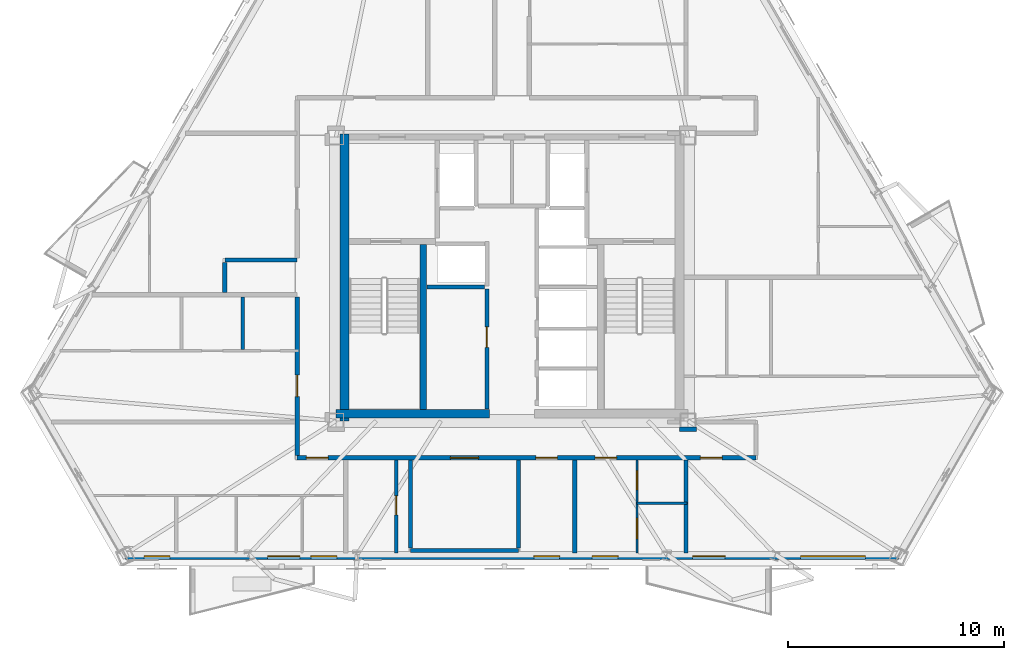
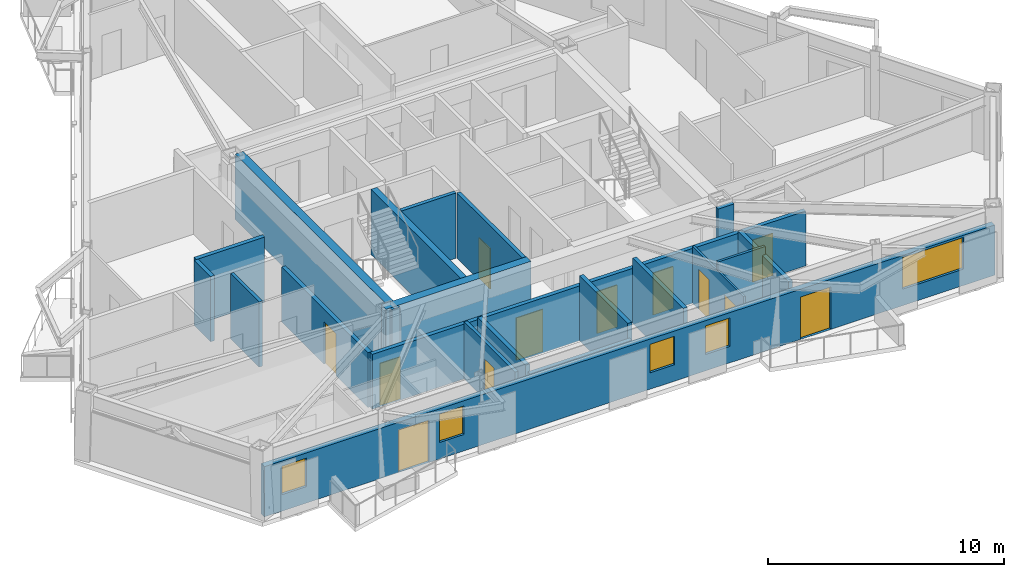
# One storey, part 3 of 9: 20 walls, 12 doors, 5 windows, 17 openings.
"""IFC4 building model written with IfcOpenShell, lengths in metres."""

import ifcopenshell
import ifcopenshell.guid

model = None  # the IFC model being written
_history = None  # IfcOwnerHistory: only IFC2X3 demands one
_inside = {}  # id of a spatial element -> (the spatial element, [elements in it])
_under = {}  # id of a project, library or spatial element -> (it, [spatial elements below it])
_declared = {}  # id of a project -> (the project, [libraries it declares])
_typed = {}  # id of a type object -> (the type object, [elements of that type])
_made_of = {}  # id of a material, layer set ... -> (it, [elements and type objects made of it])


def new_model(schema):
    """Start an empty IFC model of exactly this schema.

    Asked for "IFC4X3", IfcOpenShell would pick the latest addendum, in which some entities
    have other attributes; the version numbers below select the first issue.
    IFC2X3 requires an IfcOwnerHistory on every rooted entity: one is made here for all.
    """
    global model, _history
    if schema == "IFC4X3":
        model = ifcopenshell.file(schema_version=(4, 3, 0, 0))
    else:
        model = ifcopenshell.file(schema=schema)
    _inside.clear()
    _under.clear()
    _declared.clear()
    _typed.clear()
    _made_of.clear()
    _history = None
    if model.schema == "IFC2X3":
        org = make("IfcOrganization", Name="unknown")
        user = make(
            "IfcPersonAndOrganization",
            ThePerson=make("IfcPerson", FamilyName="unknown"),
            TheOrganization=org,
        )
        app = make(
            "IfcApplication",
            ApplicationDeveloper=org,
            Version="unknown",
            ApplicationFullName="unknown",
            ApplicationIdentifier="unknown",
        )
        _history = make(
            "IfcOwnerHistory",
            OwningUser=user,
            OwningApplication=app,
            ChangeAction="ADDED",
            CreationDate=0,
        )
    return model


def make(cls, **values):
    """One entity of the class cls with the attributes given. An attribute that is None is left unset."""
    return model.create_entity(
        cls, **{name: value for name, value in values.items() if value is not None}
    )


def rooted(cls, **values):
    """An entity with a GlobalId (a new one), such as an element, a storey or a relation."""
    return make(cls, GlobalId=ifcopenshell.guid.new(), OwnerHistory=_history, **values)


def si_unit(unit_type, name, prefix=None):
    """IfcSIUnit, for example si_unit("LENGTHUNIT", "METRE", prefix="MILLI")."""
    return make("IfcSIUnit", UnitType=unit_type, Prefix=prefix, Name=name)


def assignment(units):
    """IfcUnitAssignment: the units of a project."""
    return None if units is None else make("IfcUnitAssignment", Units=units)


def point(xyz):
    """IfcCartesianPoint."""
    return None if xyz is None else make("IfcCartesianPoint", Coordinates=xyz)


def direction(xyz):
    """IfcDirection."""
    return None if xyz is None else make("IfcDirection", DirectionRatios=xyz)


def frame(location, z_axis=None, x_axis=None):
    """IfcAxis2Placement3D, a coordinate frame: its origin and axes. An axis left out is left unset."""
    return make(
        "IfcAxis2Placement3D",
        Location=point(location),
        Axis=direction(z_axis),
        RefDirection=direction(x_axis),
    )


def frame_2d(location, x_axis=None):
    """IfcAxis2Placement2D, a coordinate frame in the plane: its origin and x axis."""
    return make(
        "IfcAxis2Placement2D", Location=point(location), RefDirection=direction(x_axis)
    )


def origin():
    """The frame at (0, 0, 0) with its axes left unset."""
    return frame((0.0, 0.0, 0.0))


def place(relative_to, where):
    """IfcLocalPlacement: puts the frame where relative to a parent placement (None: the world)."""
    return make(
        "IfcLocalPlacement", PlacementRelTo=relative_to, RelativePlacement=where
    )


def context(
    kind, dimensions, precision=None, world=None, true_north=None, identifier=None
):
    """IfcGeometricRepresentationContext, for example the 3D "Model" context."""
    return make(
        "IfcGeometricRepresentationContext",
        ContextIdentifier=identifier,
        ContextType=kind,
        CoordinateSpaceDimension=dimensions,
        Precision=precision,
        WorldCoordinateSystem=world,
        TrueNorth=true_north,
    )


def subcontext(parent, identifier, kind, view, scale=None):
    """IfcGeometricRepresentationSubContext, for example "Body" below "Model"."""
    return make(
        "IfcGeometricRepresentationSubContext",
        ContextIdentifier=identifier,
        ContextType=kind,
        ParentContext=parent,
        TargetScale=scale,
        TargetView=view,
    )


def project(units=None, contexts=None):
    """IfcProject with its units and contexts."""
    return rooted(
        "IfcProject",
        Name="project",
        RepresentationContexts=contexts,
        UnitsInContext=assignment(units),
    )


def spatial(cls, under=None, at=None, **own):
    """A site, building, storey or space (cls), placed at a placement, below another one or the project."""
    s = rooted(cls, ObjectPlacement=at, **own)
    if under is not None:
        _under.setdefault(under.id(), (under, []))[1].append(s)
    return s


def profile(cls, at=None, kind="AREA", **sizes):
    """A parametric profile (cls). Its sizes go by their IFC names, for example OverallWidth=200.0."""
    return make(cls, ProfileType=kind, Position=at, **sizes)


def rectangle(**sizes):
    """IfcRectangleProfileDef."""
    return profile("IfcRectangleProfileDef", **sizes)


def extrude(swept, where, along, depth):
    """IfcExtrudedAreaSolid: the profile swept, set in the frame where, extruded along a direction by depth."""
    return make(
        "IfcExtrudedAreaSolid",
        SweptArea=swept,
        Position=where,
        ExtrudedDirection=direction(along),
        Depth=depth,
    )


def shape(context_of_items, identifier, shape_type, items):
    """IfcShapeRepresentation: the items that make up one representation, for example the "Body"."""
    return make(
        "IfcShapeRepresentation",
        ContextOfItems=context_of_items,
        RepresentationIdentifier=identifier,
        RepresentationType=shape_type,
        Items=items,
    )


def material(Name=None, Category=None):
    """IfcMaterial."""
    return make("IfcMaterial", Name=Name, Category=Category)


def layer(
    of_material, thickness, ventilated=None, Name=None, Category=None, Priority=None
):
    """IfcMaterialLayer: one layer of a wall or slab, of a material (None: an air gap)."""
    return make(
        "IfcMaterialLayer",
        Material=of_material,
        LayerThickness=thickness,
        IsVentilated=ventilated,
        Name=Name,
        Category=Category,
        Priority=Priority,
    )


def layer_set(layers, Name=None):
    """IfcMaterialLayerSet."""
    return make("IfcMaterialLayerSet", MaterialLayers=layers, LayerSetName=Name)


def made_of(thing, what):
    """Note that an element or type object is made of a material, layer set ...; save() writes the relation."""
    if what is not None:
        _made_of.setdefault(what.id(), (what, []))[1].append(thing)
    return thing


def type_object(cls, material=None, **own):
    """A type object (cls), such as IfcWallType, which elements share."""
    return made_of(rooted(cls, **own), material)


def element(
    cls,
    number,
    at=None,
    inside=None,
    cuts=None,
    type_object=None,
    material=None,
    context=None,
    identifier="Body",
    shape_type=None,
    held_by="IfcProductDefinitionShape",
    body=None,
    shapes=None,
    **own,
):
    """One element of the class cls, such as IfcWall. Its Tag is "e" and its number.

    at: its placement. inside: the storey or other place that contains it. cuts: it is an
    opening in that element (IfcRelVoidsElement). A single representation is given by context,
    identifier, shape_type and body (its items); several are given by shapes. held_by: the class
    of the entity that holds the representations. save() writes the other relations.
    """
    e = rooted(cls, Tag="e%d" % number, ObjectPlacement=at, **own)
    if body is not None:
        shapes = [shape(context, identifier, shape_type, body)]
    if shapes is not None:
        e.Representation = make(held_by, Representations=shapes)
    if inside is not None:
        _inside.setdefault(inside.id(), (inside, []))[1].append(e)
    if cuts is not None:
        rooted(
            "IfcRelVoidsElement", RelatingBuildingElement=cuts, RelatedOpeningElement=e
        )
    if type_object is not None:
        _typed.setdefault(type_object.id(), (type_object, []))[1].append(e)
    return made_of(e, material)


def fill(opening, filler):
    """IfcRelFillsElement: the door or window that sits in an opening."""
    return rooted(
        "IfcRelFillsElement",
        RelatingOpeningElement=opening,
        RelatedBuildingElement=filler,
    )


def aggregate(whole, parts):
    """IfcRelAggregates: a whole, such as a stair, and the parts it consists of."""
    return rooted("IfcRelAggregates", RelatingObject=whole, RelatedObjects=parts)


def save(model, path):
    """Write the relations noted so far, then the file.

    IfcRelAggregates (storeys below a building ...), IfcRelContainedInSpatialStructure (elements
    in a storey), IfcRelDefinesByType, IfcRelAssociatesMaterial and IfcRelDeclares: one each for
    every whole, place, type object, material and project.
    """
    for whole, parts in _under.values():
        aggregate(whole, parts)
    for where, things in _inside.values():
        rooted(
            "IfcRelContainedInSpatialStructure",
            RelatedElements=things,
            RelatingStructure=where,
        )
    for kind, things in _typed.values():
        rooted("IfcRelDefinesByType", RelatedObjects=things, RelatingType=kind)
    for what, things in _made_of.values():
        rooted("IfcRelAssociatesMaterial", RelatedObjects=things, RelatingMaterial=what)
    for by, libraries in _declared.values():
        rooted("IfcRelDeclares", RelatingContext=by, RelatedDefinitions=libraries)
    model.write(path)


model = new_model("IFC4")

# Units and contexts
model_context = context("Model", 3, precision=1e-05, world=origin(), true_north=direction((0.0, 1.0)))
body_context = subcontext(model_context, "Body", "Model", "MODEL_VIEW")
ifc_project = project(units=[si_unit("LENGTHUNIT", "METRE"), si_unit("AREAUNIT", "SQUARE_METRE"), si_unit("VOLUMEUNIT", "CUBIC_METRE"), si_unit("PLANEANGLEUNIT", "RADIAN"), si_unit("MASSUNIT", "GRAM", prefix="KILO")], contexts=[model_context])

# Site, building, storey
site_placement = place(None, origin())
site = spatial("IfcSite", under=ifc_project, at=site_placement, CompositionType="ELEMENT")
building_placement = place(site_placement, origin())
building = spatial("IfcBuilding", under=site, at=building_placement, Name="Oramaril Tower", CompositionType="ELEMENT")
storey_placement = place(building_placement, frame((0.0, 0.0, 167.39990234375)))
storey = spatial("IfcBuildingStorey", under=building, at=storey_placement, Name="L44", CompositionType="ELEMENT", Elevation=167.39990234375)

# Wall, openings, doors, windows
ifc_material_1 = material(Name="Warm Cream Limestone", Category="masonry")
ifc_layer_1 = layer(ifc_material_1, 0.2900390625)
ifc_layer_set_1 = layer_set([ifc_layer_1], Name="WT-EXT29")
wall_type_1 = type_object("IfcWallType", Name="WT-EXT29", PredefinedType="SOLIDWALL", material=ifc_layer_set_1)
wall_1_placement = place(storey_placement, frame((19.5986328125, 4.736572265625, 0.0), z_axis=(0.0, 0.0, 1.0), x_axis=(1.0, 0.0, 0.0)))
wall_1 = element("IfcWall", 1, at=wall_1_placement, inside=storey, type_object=wall_type_1, Name="L44 Tower Limestone Facade Wall 2M", PredefinedType="SOLIDWALL", context=body_context, shape_type="SweptSolid", body=[
    extrude(rectangle(XDim=35.802734375, YDim=0.2900390625, at=frame_2d((17.9013671875, 0.0))), origin(), (0.0, 0.0, 1.0), 2.60009765625),
])
opening_1_placement = place(wall_1_placement, frame((6.579345703125, 0.0, 0.0)))
opening_1 = element("IfcOpeningElement", 2, at=opening_1_placement, cuts=wall_1, Name="Opening D-L44-BAL-S1", PredefinedType="OPENING", context=body_context, shape_type="SweptSolid", body=[
    extrude(rectangle(XDim=1.5, YDim=2.199951171875, at=frame_2d((0.75, 1.10009765625))), frame((0.0, 0.14501953125, 0.0), z_axis=(0.0, -1.0, 0.0), x_axis=(1.0, 0.0, 0.0)), (0.0, 0.0, 1.0), 0.2900390625),
])
opening_2_placement = place(wall_1_placement, frame((26.268310546875, 0.0, 0.0)))
opening_2 = element("IfcOpeningElement", 3, at=opening_2_placement, cuts=wall_1, Name="Opening D-L44-BAL-S2", PredefinedType="OPENING", context=body_context, shape_type="SweptSolid", body=[
    extrude(rectangle(XDim=1.5, YDim=2.199951171875, at=frame_2d((0.75, 1.10009765625))), frame((0.0, 0.14501953125, 0.0), z_axis=(0.0, -1.0, 0.0), x_axis=(1.0, 0.0, 0.0)), (0.0, 0.0, 1.0), 0.2900390625),
])
opening_3_placement = place(wall_1_placement, frame((0.860107421875, 0.0, 0.85009765625)))
opening_3 = element("IfcOpeningElement", 4, at=opening_3_placement, cuts=wall_1, Name="Opening WN-09", PredefinedType="OPENING", context=body_context, shape_type="SweptSolid", body=[
    extrude(rectangle(XDim=1.199951171875, YDim=1.47998046875, at=frame_2d((0.60009765625, 0.739990234375))), frame((0.0, 0.14501953125, 0.0), z_axis=(0.0, -1.0, 0.0), x_axis=(1.0, 0.0, 0.0)), (0.0, 0.0, 1.0), 0.2900390625),
])
opening_4_placement = place(wall_1_placement, frame((8.587646484375, 0.0, 0.85009765625)))
opening_4 = element("IfcOpeningElement", 5, at=opening_4_placement, cuts=wall_1, Name="Opening WN-09", PredefinedType="OPENING", context=body_context, shape_type="SweptSolid", body=[
    extrude(rectangle(XDim=1.199951171875, YDim=1.47998046875, at=frame_2d((0.60009765625, 0.739990234375))), frame((0.0, 0.14501953125, 0.0), z_axis=(0.0, -1.0, 0.0), x_axis=(1.0, 0.0, 0.0)), (0.0, 0.0, 1.0), 0.2900390625),
])
opening_5_placement = place(wall_1_placement, frame((18.910400390625, 0.0, 0.85009765625)))
opening_5 = element("IfcOpeningElement", 6, at=opening_5_placement, cuts=wall_1, Name="Opening WN-09", PredefinedType="OPENING", context=body_context, shape_type="SweptSolid", body=[
    extrude(rectangle(XDim=1.199951171875, YDim=1.47998046875, at=frame_2d((0.60009765625, 0.739990234375))), frame((0.0, 0.14501953125, 0.0), z_axis=(0.0, -1.0, 0.0), x_axis=(1.0, 0.0, 0.0)), (0.0, 0.0, 1.0), 0.2900390625),
])
opening_6_placement = place(wall_1_placement, frame((31.2666015625, 0.0, 0.85009765625)))
opening_6 = element("IfcOpeningElement", 7, at=opening_6_placement, cuts=wall_1, Name="Opening WN-10", PredefinedType="OPENING", context=body_context, shape_type="SweptSolid", body=[
    extrude(rectangle(XDim=3.0, YDim=1.639892578125, at=frame_2d((1.5, 0.81982421875))), frame((0.0, 0.14501953125, 0.0), z_axis=(0.0, -1.0, 0.0), x_axis=(1.0, 0.0, 0.0)), (0.0, 0.0, 1.0), 0.2900390625),
])
opening_7_placement = place(wall_1_placement, frame((21.616943359375, 0.0, 0.85009765625)))
opening_7 = element("IfcOpeningElement", 8, at=opening_7_placement, cuts=wall_1, Name="Opening WN-09", PredefinedType="OPENING", context=body_context, shape_type="SweptSolid", body=[
    extrude(rectangle(XDim=1.199951171875, YDim=1.47998046875, at=frame_2d((0.60009765625, 0.739990234375))), frame((0.0, 0.14501953125, 0.0), z_axis=(0.0, -1.0, 0.0), x_axis=(1.0, 0.0, 0.0)), (0.0, 0.0, 1.0), 0.2900390625),
])
ifc_material_2 = material(Name="Anodised Aluminium 6063-T6", Category="aluminium")
door_type_1 = type_object("IfcDoorType", Name="DT-BAL", OperationType="NOTDEFINED", PredefinedType="DOOR", material=ifc_material_2)
door_1_placement = place(opening_1_placement, origin())
door_1 = element("IfcDoor", 9, at=door_1_placement, inside=storey, type_object=door_type_1, Name="L44 Balcony Glazed Door L44-BAL-S1", OperationType="SINGLE_SWING_LEFT", OverallHeight=2.199951171875, OverallWidth=1.5, PredefinedType="DOOR", context=body_context, shape_type="SweptSolid", body=[
    extrude(rectangle(XDim=1.5, YDim=2.199951171875, at=frame_2d((0.75, 1.10009765625))), frame((0.0, 0.02490234375, 0.0), z_axis=(0.0, -1.0, 0.0), x_axis=(1.0, 0.0, 0.0)), (0.0, 0.0, 1.0), 0.050048828125),
])
fill(opening_1, door_1)
door_2_placement = place(opening_2_placement, origin())
door_2 = element("IfcDoor", 10, at=door_2_placement, inside=storey, type_object=door_type_1, Name="L44 Balcony Glazed Door L44-BAL-S2", OperationType="SINGLE_SWING_RIGHT", OverallHeight=2.199951171875, OverallWidth=1.5, PredefinedType="DOOR", context=body_context, shape_type="SweptSolid", body=[
    extrude(rectangle(XDim=1.5, YDim=2.199951171875, at=frame_2d((0.75, 1.10009765625))), frame((0.0, 0.02490234375, 0.0), z_axis=(0.0, -1.0, 0.0), x_axis=(1.0, 0.0, 0.0)), (0.0, 0.0, 1.0), 0.050048828125),
])
fill(opening_2, door_2)
ifc_material_3 = material(Name="Coastal Low-E Insulated Glass", Category="glass")
window_type_1 = type_object("IfcWindowType", Name="WNT-09", PartitioningType="SINGLE_PANEL", PredefinedType="WINDOW", material=ifc_material_3)
window_1_placement = place(opening_3_placement, origin())
window_1 = element("IfcWindow", 11, at=window_1_placement, inside=storey, type_object=window_type_1, Name="L44 Chicago Bay Window WN-09", OverallHeight=1.47998046875, OverallWidth=1.199951171875, PartitioningType="SINGLE_PANEL", PredefinedType="WINDOW", context=body_context, shape_type="SweptSolid", body=[
    extrude(rectangle(XDim=1.199951171875, YDim=1.47998046875, at=frame_2d((0.60009765625, 0.739990234375))), frame((0.0, 0.030029296875, 0.0), z_axis=(0.0, -1.0, 0.0), x_axis=(1.0, 0.0, 0.0)), (0.0, 0.0, 1.0), 0.06005859375),
])
fill(opening_3, window_1)
window_2_placement = place(opening_4_placement, origin())
window_2 = element("IfcWindow", 12, at=window_2_placement, inside=storey, type_object=window_type_1, Name="L44 Chicago Bay Window WN-09", OverallHeight=1.47998046875, OverallWidth=1.199951171875, PartitioningType="SINGLE_PANEL", PredefinedType="WINDOW", context=body_context, shape_type="SweptSolid", body=[
    extrude(rectangle(XDim=1.199951171875, YDim=1.47998046875, at=frame_2d((0.60009765625, 0.739990234375))), frame((0.0, 0.030029296875, 0.0), z_axis=(0.0, -1.0, 0.0), x_axis=(1.0, 0.0, 0.0)), (0.0, 0.0, 1.0), 0.06005859375),
])
fill(opening_4, window_2)
window_3_placement = place(opening_5_placement, origin())
window_3 = element("IfcWindow", 13, at=window_3_placement, inside=storey, type_object=window_type_1, Name="L44 Chicago Bay Window WN-09", OverallHeight=1.47998046875, OverallWidth=1.199951171875, PartitioningType="SINGLE_PANEL", PredefinedType="WINDOW", context=body_context, shape_type="SweptSolid", body=[
    extrude(rectangle(XDim=1.199951171875, YDim=1.47998046875, at=frame_2d((0.60009765625, 0.739990234375))), frame((0.0, 0.030029296875, 0.0), z_axis=(0.0, -1.0, 0.0), x_axis=(1.0, 0.0, 0.0)), (0.0, 0.0, 1.0), 0.06005859375),
])
fill(opening_5, window_3)
window_4_placement = place(opening_7_placement, origin())
window_4 = element("IfcWindow", 14, at=window_4_placement, inside=storey, type_object=window_type_1, Name="L44 Apartment Bedroom Window WN-09", OverallHeight=1.47998046875, OverallWidth=1.199951171875, PartitioningType="SINGLE_PANEL", PredefinedType="WINDOW", context=body_context, shape_type="SweptSolid", body=[
    extrude(rectangle(XDim=1.199951171875, YDim=1.47998046875, at=frame_2d((0.60009765625, 0.739990234375))), frame((0.0, 0.030029296875, 0.0), z_axis=(0.0, -1.0, 0.0), x_axis=(1.0, 0.0, 0.0)), (0.0, 0.0, 1.0), 0.06005859375),
])
fill(opening_7, window_4)
ifc_material_4 = material(Name="Coastal Low-E Insulated Glass", Category="glass")
window_type_2 = type_object("IfcWindowType", Name="WNT-10", PartitioningType="SINGLE_PANEL", PredefinedType="WINDOW", material=ifc_material_4)
window_5_placement = place(opening_6_placement, origin())
window_5 = element("IfcWindow", 15, at=window_5_placement, inside=storey, type_object=window_type_2, Name="L44 Chicago Bay Window WN-10", OverallHeight=1.639892578125, OverallWidth=3.0, PartitioningType="SINGLE_PANEL", PredefinedType="WINDOW", context=body_context, shape_type="SweptSolid", body=[
    extrude(rectangle(XDim=3.0, YDim=1.639892578125, at=frame_2d((1.5, 0.81982421875))), frame((0.0, 0.030029296875, 0.0), z_axis=(0.0, -1.0, 0.0), x_axis=(1.0, 0.0, 0.0)), (0.0, 0.0, 1.0), 0.06005859375),
])
fill(opening_6, window_5)

# Wall, openings, doors
ifc_material_5 = material(Name="Acoustic Gypsum Board Partition")
ifc_layer_2 = layer(ifc_material_5, 0.10009765625)
ifc_layer_set_2 = layer_set([ifc_layer_2], Name="WT-PT10")
wall_type_2 = type_object("IfcWallType", Name="WT-PT10", PredefinedType="PARTITIONING", material=ifc_layer_set_2)
wall_2_placement = place(storey_placement, frame((43.2900390625, 4.885498046875, 0.0), z_axis=(0.0, 0.0, 1.0), x_axis=(0.0, 1.0, 0.0)))
wall_2 = element("IfcWall", 16, at=wall_2_placement, inside=storey, type_object=wall_type_2, Name="L44 Interior Partition PT-10", PredefinedType="PARTITIONING", context=body_context, shape_type="SweptSolid", body=[
    extrude(rectangle(XDim=4.310546875, YDim=0.10009765625, at=frame_2d((2.1552734375, 0.0))), origin(), (0.0, 0.0, 1.0), 2.966064453125),
])
opening_8_placement = place(wall_2_placement, frame((0.6591796875, 0.0, 0.0)))
opening_8 = element("IfcOpeningElement", 17, at=opening_8_placement, cuts=wall_2, Name="Opening D-L44-28", PredefinedType="OPENING", context=body_context, shape_type="SweptSolid", body=[
    extrude(rectangle(XDim=0.949951171875, YDim=2.10009765625, at=frame_2d((0.47509765625, 1.050048828125))), frame((0.0, 0.050048828125, 0.0), z_axis=(0.0, -1.0, 0.0), x_axis=(1.0, 0.0, 0.0)), (0.0, 0.0, 1.0), 0.10009765625),
])
opening_9_placement = place(wall_2_placement, frame((2.930908203125, 0.0, 0.0)))
opening_9 = element("IfcOpeningElement", 18, at=opening_9_placement, cuts=wall_2, Name="Opening D-L44-29", PredefinedType="OPENING", context=body_context, shape_type="SweptSolid", body=[
    extrude(rectangle(XDim=0.8798828125, YDim=2.080078125, at=frame_2d((0.43994140625, 1.0400390625))), frame((0.0, 0.050048828125, 0.0), z_axis=(0.0, -1.0, 0.0), x_axis=(1.0, 0.0, 0.0)), (0.0, 0.0, 1.0), 0.10009765625),
])
ifc_material_6 = material(Name="FSC Brazilian Freijo Hardwood", Category="wood")
door_type_2 = type_object("IfcDoorType", Name="DT-BATH", OperationType="NOTDEFINED", PredefinedType="DOOR", material=ifc_material_6)
door_3_placement = place(opening_9_placement, origin())
door_3 = element("IfcDoor", 19, at=door_3_placement, inside=storey, type_object=door_type_2, Name="L44 Flat L44-U3 Bathroom Door D-L44-29", OperationType="SINGLE_SWING_LEFT", OverallHeight=2.080078125, OverallWidth=0.8798828125, PredefinedType="DOOR", context=body_context, shape_type="SweptSolid", body=[
    extrude(rectangle(XDim=0.8798828125, YDim=2.080078125, at=frame_2d((0.43994140625, 1.0400390625))), frame((0.0, 0.02490234375, 0.0), z_axis=(0.0, -1.0, 0.0), x_axis=(1.0, 0.0, 0.0)), (0.0, 0.0, 1.0), 0.050048828125),
])
fill(opening_9, door_3)
ifc_material_7 = material(Name="FSC Brazilian Freijo Hardwood", Category="wood")
door_type_3 = type_object("IfcDoorType", Name="DT-STDY", OperationType="NOTDEFINED", PredefinedType="DOOR", material=ifc_material_7)
door_4_placement = place(opening_8_placement, origin())
door_4 = element("IfcDoor", 20, at=door_4_placement, inside=storey, type_object=door_type_3, Name="L44 Flat L44-U3 Kitchen Door D-L44-28", OperationType="SINGLE_SWING_RIGHT", OverallHeight=2.10009765625, OverallWidth=0.949951171875, PredefinedType="DOOR", context=body_context, shape_type="SweptSolid", body=[
    extrude(rectangle(XDim=0.949951171875, YDim=2.10009765625, at=frame_2d((0.47509765625, 1.050048828125))), frame((0.0, 0.02490234375, 0.0), z_axis=(0.0, -1.0, 0.0), x_axis=(1.0, 0.0, 0.0)), (0.0, 0.0, 1.0), 0.050048828125),
])
fill(opening_8, door_4)

# Walls
ifc_material_8 = material(Name="Acoustic Gypsum Board Partition")
ifc_layer_3 = layer(ifc_material_8, 0.1201171875)
ifc_layer_set_3 = layer_set([ifc_layer_3], Name="WT-PT12")
wall_type_3 = type_object("IfcWallType", Name="WT-PT12", PredefinedType="PARTITIONING", material=ifc_layer_set_3)
wall_3_placement = place(storey_placement, frame((43.28955078125, 7.179931640625, 0.0), z_axis=(0.0, 0.0, 1.0), x_axis=(1.0, 0.0, 0.0)))
element("IfcWall", 21, at=wall_3_placement, inside=storey, type_object=wall_type_3, Name="L44 Interior Partition PT-12", PredefinedType="PARTITIONING", context=body_context, shape_type="SweptSolid", body=[
    extrude(rectangle(XDim=2.320556640625, YDim=0.1201171875, at=frame_2d((1.16015625, 0.0))), origin(), (0.0, 0.0, 1.0), 3.380126953125),
])
ifc_material_9 = material(Name="Acoustic Gypsum Board Partition")
ifc_layer_4 = layer(ifc_material_9, 0.159912109375)
ifc_layer_set_4 = layer_set([ifc_layer_4], Name="WT-PT16")
wall_type_4 = type_object("IfcWallType", Name="WT-PT16", PredefinedType="PARTITIONING", material=ifc_layer_set_4)
wall_4_placement = place(storey_placement, frame((25.030029296875, 14.303955078125, 0.0), z_axis=(0.0, 0.0, 1.0), x_axis=(0.0, 1.0, 0.0)))
element("IfcWall", 22, at=wall_4_placement, inside=storey, type_object=wall_type_4, Name="L44 Interior Partition PT-16", PredefinedType="PARTITIONING", context=body_context, shape_type="SweptSolid", body=[
    extrude(rectangle(XDim=2.442138671875, YDim=0.159912109375, at=frame_2d((1.22119140625, 0.0))), origin(), (0.0, 0.0, 1.0), 3.380126953125),
])

# Wall, opening, door
wall_5_placement = place(storey_placement, frame((32.1298828125, 4.885498046875, 0.0), z_axis=(0.0, 0.0, 1.0), x_axis=(0.0, 1.0, 0.0)))
wall_5 = element("IfcWall", 23, at=wall_5_placement, inside=storey, type_object=wall_type_4, Name="L44 Interior Partition PT-16", PredefinedType="PARTITIONING", context=body_context, shape_type="SweptSolid", body=[
    extrude(rectangle(XDim=4.310546875, YDim=0.159912109375, at=frame_2d((2.1552734375, 0.0))), origin(), (0.0, 0.0, 1.0), 2.966064453125),
])
opening_10_placement = place(wall_5_placement, frame((1.767578125, 0.0, 0.0)))
opening_10 = element("IfcOpeningElement", 24, at=opening_10_placement, cuts=wall_5, Name="Opening D-L44-25", PredefinedType="OPENING", context=body_context, shape_type="SweptSolid", body=[
    extrude(rectangle(XDim=0.8798828125, YDim=2.080078125, at=frame_2d((0.43994140625, 1.0400390625))), frame((0.0, 0.080078125, 0.0), z_axis=(0.0, -1.0, 0.0), x_axis=(1.0, 0.0, 0.0)), (0.0, 0.0, 1.0), 0.159912109375),
])
door_5_placement = place(opening_10_placement, origin())
door_5 = element("IfcDoor", 25, at=door_5_placement, inside=storey, type_object=door_type_2, Name="L44 Flat L44-U2 Bathroom Door D-L44-25", OperationType="SINGLE_SWING_LEFT", OverallHeight=2.080078125, OverallWidth=0.8798828125, PredefinedType="DOOR", context=body_context, shape_type="SweptSolid", body=[
    extrude(rectangle(XDim=0.8798828125, YDim=2.080078125, at=frame_2d((0.43994140625, 1.0400390625))), frame((0.0, 0.02490234375, 0.0), z_axis=(0.0, -1.0, 0.0), x_axis=(1.0, 0.0, 0.0)), (0.0, 0.0, 1.0), 0.050048828125),
])
fill(opening_10, door_5)

# Wall
ifc_material_10 = material(Name="Autoclaved Cellular Concrete Block", Category="concrete")
ifc_layer_5 = layer(ifc_material_10, 0.179931640625)
ifc_layer_set_5 = layer_set([ifc_layer_5], Name="WT-PT18")
wall_type_5 = type_object("IfcWallType", Name="WT-PT18", PredefinedType="PARTITIONING", material=ifc_layer_set_5)
wall_6_placement = place(storey_placement, frame((33.56005859375, 17.199951171875, 0.0), z_axis=(0.0, 0.0, 1.0), x_axis=(1.0, 0.0, 0.0)))
element("IfcWall", 26, at=wall_6_placement, inside=storey, type_object=wall_type_5, Name="L44 High-Rise Lift H1 South Wall", PredefinedType="PARTITIONING", context=body_context, shape_type="SweptSolid", body=[
    extrude(rectangle(XDim=2.659912109375, YDim=0.179931640625, at=frame_2d((1.330078125, 0.0))), origin(), (0.0, 0.0, 1.0), 3.380126953125),
])

# Wall, opening, door
wall_7_placement = place(storey_placement, frame((36.340087890625, 11.550048828125, 0.0), z_axis=(0.0, 0.0, 1.0), x_axis=(0.0, 1.0, 0.0)))
wall_7 = element("IfcWall", 27, at=wall_7_placement, inside=storey, type_object=wall_type_5, Name="L44 Freed Shaft Study East Wall", PredefinedType="PARTITIONING", context=body_context, shape_type="SweptSolid", body=[
    extrude(rectangle(XDim=5.550048828125, YDim=0.179931640625, at=frame_2d((2.77490234375, 0.0))), origin(), (0.0, 0.0, 1.0), 3.380126953125),
])
opening_11_placement = place(wall_7_placement, frame((2.85009765625, 0.0, 0.0)))
opening_11 = element("IfcOpeningElement", 28, at=opening_11_placement, cuts=wall_7, Name="Opening D-L44-FL1", PredefinedType="OPENING", context=body_context, shape_type="SweptSolid", body=[
    extrude(rectangle(XDim=0.949951171875, YDim=2.10009765625, at=frame_2d((0.47509765625, 1.050048828125))), frame((0.0, 0.08984375, 0.0), z_axis=(0.0, -1.0, 0.0), x_axis=(1.0, 0.0, 0.0)), (0.0, 0.0, 1.0), 0.179931640625),
])
door_6_placement = place(opening_11_placement, origin())
door_6 = element("IfcDoor", 29, at=door_6_placement, inside=storey, type_object=door_type_3, Name="L44 L44 Residents Study Alcove Door", OperationType="SINGLE_SWING_LEFT", OverallHeight=2.10009765625, OverallWidth=0.949951171875, PredefinedType="DOOR", context=body_context, shape_type="SweptSolid", body=[
    extrude(rectangle(XDim=0.949951171875, YDim=2.10009765625, at=frame_2d((0.47509765625, 1.050048828125))), frame((0.0, 0.02490234375, 0.0), z_axis=(0.0, -1.0, 0.0), x_axis=(1.0, 0.0, 0.0)), (0.0, 0.0, 1.0), 0.050048828125),
])
fill(opening_11, door_6)

# Wall
ifc_material_11 = material(Name="Autoclaved Cellular Concrete Block", Category="concrete")
ifc_layer_6 = layer(ifc_material_11, 0.199951171875)
ifc_layer_set_6 = layer_set([ifc_layer_6], Name="WT-PT20")
wall_type_6 = type_object("IfcWallType", Name="WT-PT20", PredefinedType="PARTITIONING", material=ifc_layer_set_6)
wall_8_placement = place(storey_placement, frame((32.800048828125, 5.0, 0.0), z_axis=(0.0, 0.0, 1.0), x_axis=(1.0, 0.0, 0.0)))
element("IfcWall", 30, at=wall_8_placement, inside=storey, type_object=wall_type_6, Name="L44 Interior Partition PT-20", PredefinedType="PARTITIONING", context=body_context, shape_type="SweptSolid", body=[
    extrude(rectangle(XDim=5.0, YDim=0.199951171875, at=frame_2d((2.5, 0.0))), origin(), (0.0, 0.0, 1.0), 2.60009765625),
])

# Wall, openings, doors
wall_9_placement = place(storey_placement, frame((27.550048828125, 9.300048828125, 0.0), z_axis=(0.0, 0.0, 1.0), x_axis=(1.0, 0.0, 0.0)))
wall_9 = element("IfcWall", 31, at=wall_9_placement, inside=storey, type_object=wall_type_6, Name="L44 Interior Partition PT-20", PredefinedType="PARTITIONING", context=body_context, shape_type="SweptSolid", body=[
    extrude(rectangle(XDim=21.25, YDim=0.199951171875, at=frame_2d((10.625, 0.0))), origin(), (0.0, 0.0, 1.0), 2.842041015625),
])
opening_12_placement = place(wall_9_placement, frame((0.42919921875, 0.0, 0.0)))
opening_12 = element("IfcOpeningElement", 32, at=opening_12_placement, cuts=wall_9, Name="Opening D-L44-05", PredefinedType="OPENING", context=body_context, shape_type="SweptSolid", body=[
    extrude(rectangle(XDim=1.0, YDim=2.179931640625, at=frame_2d((0.5, 1.08984375))), frame((0.0, 0.10009765625, 0.0), z_axis=(0.0, -1.0, 0.0), x_axis=(1.0, 0.0, 0.0)), (0.0, 0.0, 1.0), 0.199951171875),
])
opening_13_placement = place(wall_9_placement, frame((7.10009765625, 0.0, 0.0)))
opening_13 = element("IfcOpeningElement", 33, at=opening_13_placement, cuts=wall_9, Name="Opening D-L44-06", PredefinedType="OPENING", context=body_context, shape_type="SweptSolid", body=[
    extrude(rectangle(XDim=1.300048828125, YDim=2.199951171875, at=frame_2d((0.64990234375, 1.10009765625))), frame((0.0, 0.10009765625, 0.0), z_axis=(0.0, -1.0, 0.0), x_axis=(1.0, 0.0, 0.0)), (0.0, 0.0, 1.0), 0.199951171875),
])
opening_14_placement = place(wall_9_placement, frame((11.050048828125, 0.0, 0.0)))
opening_14 = element("IfcOpeningElement", 34, at=opening_14_placement, cuts=wall_9, Name="Opening D-L44-07", PredefinedType="OPENING", context=body_context, shape_type="SweptSolid", body=[
    extrude(rectangle(XDim=1.0, YDim=2.179931640625, at=frame_2d((0.5, 1.08984375))), frame((0.0, 0.10009765625, 0.0), z_axis=(0.0, -1.0, 0.0), x_axis=(1.0, 0.0, 0.0)), (0.0, 0.0, 1.0), 0.199951171875),
])
opening_15_placement = place(wall_9_placement, frame((13.794921875, 0.0, 0.0)))
opening_15 = element("IfcOpeningElement", 35, at=opening_15_placement, cuts=wall_9, Name="Opening D-L44-08", PredefinedType="OPENING", context=body_context, shape_type="SweptSolid", body=[
    extrude(rectangle(XDim=1.0, YDim=2.179931640625, at=frame_2d((0.5, 1.08984375))), frame((0.0, 0.10009765625, 0.0), z_axis=(0.0, -1.0, 0.0), x_axis=(1.0, 0.0, 0.0)), (0.0, 0.0, 1.0), 0.199951171875),
])
opening_16_placement = place(wall_9_placement, frame((18.679931640625, 0.0, 0.0)))
opening_16 = element("IfcOpeningElement", 36, at=opening_16_placement, cuts=wall_9, Name="Opening D-L44-09", PredefinedType="OPENING", context=body_context, shape_type="SweptSolid", body=[
    extrude(rectangle(XDim=1.0, YDim=2.179931640625, at=frame_2d((0.5, 1.08984375))), frame((0.0, 0.10009765625, 0.0), z_axis=(0.0, -1.0, 0.0), x_axis=(1.0, 0.0, 0.0)), (0.0, 0.0, 1.0), 0.199951171875),
])
ifc_material_12 = material(Name="FSC Brazilian Freijo Hardwood", Category="wood")
door_type_4 = type_object("IfcDoorType", Name="DT-APT", OperationType="NOTDEFINED", PredefinedType="DOOR", material=ifc_material_12)
door_7_placement = place(opening_12_placement, origin())
door_7 = element("IfcDoor", 37, at=door_7_placement, inside=storey, type_object=door_type_4, Name="L44 Flat L44-U1 Living and Dining Room Door D-L44-05", OperationType="SINGLE_SWING_LEFT", OverallHeight=2.179931640625, OverallWidth=1.0, PredefinedType="DOOR", context=body_context, shape_type="SweptSolid", body=[
    extrude(rectangle(XDim=1.0, YDim=2.179931640625, at=frame_2d((0.5, 1.08984375))), frame((0.0, 0.02490234375, 0.0), z_axis=(0.0, -1.0, 0.0), x_axis=(1.0, 0.0, 0.0)), (0.0, 0.0, 1.0), 0.050048828125),
])
fill(opening_12, door_7)
door_8_placement = place(opening_14_placement, origin())
door_8 = element("IfcDoor", 38, at=door_8_placement, inside=storey, type_object=door_type_4, Name="L44 Flat L44-U2 Kitchen and Studio Apartment Door D-L44-07", OperationType="SINGLE_SWING_LEFT", OverallHeight=2.179931640625, OverallWidth=1.0, PredefinedType="DOOR", context=body_context, shape_type="SweptSolid", body=[
    extrude(rectangle(XDim=1.0, YDim=2.179931640625, at=frame_2d((0.5, 1.08984375))), frame((0.0, 0.02490234375, 0.0), z_axis=(0.0, -1.0, 0.0), x_axis=(1.0, 0.0, 0.0)), (0.0, 0.0, 1.0), 0.050048828125),
])
fill(opening_14, door_8)
door_9_placement = place(opening_15_placement, origin())
door_9 = element("IfcDoor", 39, at=door_9_placement, inside=storey, type_object=door_type_4, Name="L44 Flat L44-U3 Studio Apartment Door D-L44-08", OperationType="SINGLE_SWING_RIGHT", OverallHeight=2.179931640625, OverallWidth=1.0, PredefinedType="DOOR", context=body_context, shape_type="SweptSolid", body=[
    extrude(rectangle(XDim=1.0, YDim=2.179931640625, at=frame_2d((0.5, 1.08984375))), frame((0.0, 0.02490234375, 0.0), z_axis=(0.0, -1.0, 0.0), x_axis=(1.0, 0.0, 0.0)), (0.0, 0.0, 1.0), 0.050048828125),
])
fill(opening_15, door_9)
door_10_placement = place(opening_16_placement, origin())
door_10 = element("IfcDoor", 40, at=door_10_placement, inside=storey, type_object=door_type_4, Name="L44 Flat L44-U6 Penthouse Living and Dining Room Door D-L44-09", OperationType="SINGLE_SWING_LEFT", OverallHeight=2.179931640625, OverallWidth=1.0, PredefinedType="DOOR", context=body_context, shape_type="SweptSolid", body=[
    extrude(rectangle(XDim=1.0, YDim=2.179931640625, at=frame_2d((0.5, 1.08984375))), frame((0.0, 0.02490234375, 0.0), z_axis=(0.0, -1.0, 0.0), x_axis=(1.0, 0.0, 0.0)), (0.0, 0.0, 1.0), 0.050048828125),
])
fill(opening_16, door_10)
ifc_material_13 = material(Name="FSC Brazilian Freijo Hardwood", Category="wood")
door_type_5 = type_object("IfcDoorType", Name="DT-COM", OperationType="NOTDEFINED", PredefinedType="DOOR", material=ifc_material_13)
door_11_placement = place(opening_13_placement, origin())
door_11 = element("IfcDoor", 41, at=door_11_placement, inside=storey, type_object=door_type_5, Name="L44 L44 Floor Co-Working Office Suite Door D-L44-06", OperationType="SINGLE_SWING_RIGHT", OverallHeight=2.199951171875, OverallWidth=1.300048828125, PredefinedType="DOOR", context=body_context, shape_type="SweptSolid", body=[
    extrude(rectangle(XDim=1.300048828125, YDim=2.199951171875, at=frame_2d((0.64990234375, 1.10009765625))), frame((0.0, 0.02490234375, 0.0), z_axis=(0.0, -1.0, 0.0), x_axis=(1.0, 0.0, 0.0)), (0.0, 0.0, 1.0), 0.050048828125),
])
fill(opening_13, door_11)

# Walls
wall_10_placement = place(storey_placement, frame((45.260009765625, 10.610107421875, 0.0), z_axis=(0.0, 0.0, 1.0), x_axis=(1.0, 0.0, 0.0)))
element("IfcWall", 42, at=wall_10_placement, inside=storey, type_object=wall_type_6, Name="L44 Interior Partition PT-20", PredefinedType="PARTITIONING", context=body_context, shape_type="SweptSolid", body=[
    extrude(rectangle(XDim=0.780029296875, YDim=0.199951171875, at=frame_2d((0.39013671875, 0.0))), origin(), (0.0, 0.0, 1.0), 3.380126953125),
])
wall_11_placement = place(storey_placement, frame((24.199951171875, 18.449951171875, 0.0), z_axis=(0.0, 0.0, 1.0), x_axis=(1.0, 0.0, 0.0)))
element("IfcWall", 43, at=wall_11_placement, inside=storey, type_object=wall_type_6, Name="L44 Interior Partition PT-20", PredefinedType="PARTITIONING", context=body_context, shape_type="SweptSolid", body=[
    extrude(rectangle(XDim=3.35009765625, YDim=0.199951171875, at=frame_2d((1.675048828125, 0.0))), origin(), (0.0, 0.0, 1.0), 3.380126953125),
])
wall_12_placement = place(storey_placement, frame((24.199951171875, 16.9541015625, 0.0), z_axis=(0.0, 0.0, 1.0), x_axis=(0.0, 1.0, 0.0)))
element("IfcWall", 44, at=wall_12_placement, inside=storey, type_object=wall_type_6, Name="L44 Interior Partition PT-20", PredefinedType="PARTITIONING", context=body_context, shape_type="SweptSolid", body=[
    extrude(rectangle(XDim=1.391845703125, YDim=0.199951171875, at=frame_2d((0.69580078125, 0.0))), origin(), (0.0, 0.0, 1.0), 3.380126953125),
])

# Wall, opening, door
wall_13_placement = place(storey_placement, frame((27.550048828125, 9.404052734375, 0.0), z_axis=(0.0, 0.0, 1.0), x_axis=(0.0, 1.0, 0.0)))
wall_13 = element("IfcWall", 45, at=wall_13_placement, inside=storey, type_object=wall_type_6, Name="L44 Interior Partition PT-20", PredefinedType="PARTITIONING", context=body_context, shape_type="SweptSolid", body=[
    extrude(rectangle(XDim=7.342041015625, YDim=0.199951171875, at=frame_2d((3.6708984375, 0.0))), origin(), (0.0, 0.0, 1.0), 2.842041015625),
])
opening_17_placement = place(wall_13_placement, frame((2.718994140625, 0.0, 0.0)))
opening_17 = element("IfcOpeningElement", 46, at=opening_17_placement, cuts=wall_13, Name="Opening D-L44-23", PredefinedType="OPENING", context=body_context, shape_type="SweptSolid", body=[
    extrude(rectangle(XDim=1.0, YDim=2.179931640625, at=frame_2d((0.5, 1.08984375))), frame((0.0, 0.10009765625, 0.0), z_axis=(0.0, -1.0, 0.0), x_axis=(1.0, 0.0, 0.0)), (0.0, 0.0, 1.0), 0.199951171875),
])
door_12_placement = place(opening_17_placement, origin())
door_12 = element("IfcDoor", 47, at=door_12_placement, inside=storey, type_object=door_type_4, Name="L44 Flat L44-U4 Living and Dining Room Door D-L44-23", OperationType="SINGLE_SWING_LEFT", OverallHeight=2.179931640625, OverallWidth=1.0, PredefinedType="DOOR", context=body_context, shape_type="SweptSolid", body=[
    extrude(rectangle(XDim=1.0, YDim=2.179931640625, at=frame_2d((0.5, 1.08984375))), frame((0.0, 0.02490234375, 0.0), z_axis=(0.0, -1.0, 0.0), x_axis=(1.0, 0.0, 0.0)), (0.0, 0.0, 1.0), 0.050048828125),
])
fill(opening_17, door_12)

# Walls
wall_14_placement = place(storey_placement, frame((32.800048828125, 5.10400390625, 0.0), z_axis=(0.0, 0.0, 1.0), x_axis=(0.0, 1.0, 0.0)))
element("IfcWall", 48, at=wall_14_placement, inside=storey, type_object=wall_type_6, Name="L44 Interior Partition PT-20", PredefinedType="PARTITIONING", context=body_context, shape_type="SweptSolid", body=[
    extrude(rectangle(XDim=4.092041015625, YDim=0.199951171875, at=frame_2d((2.0458984375, 0.0))), origin(), (0.0, 0.0, 1.0), 2.966064453125),
])
wall_15_placement = place(storey_placement, frame((37.800048828125, 5.10400390625, 0.0), z_axis=(0.0, 0.0, 1.0), x_axis=(0.0, 1.0, 0.0)))
element("IfcWall", 49, at=wall_15_placement, inside=storey, type_object=wall_type_6, Name="L44 Interior Partition PT-20", PredefinedType="PARTITIONING", context=body_context, shape_type="SweptSolid", body=[
    extrude(rectangle(XDim=4.092041015625, YDim=0.199951171875, at=frame_2d((2.0458984375, 0.0))), origin(), (0.0, 0.0, 1.0), 3.380126953125),
])
wall_16_placement = place(storey_placement, frame((40.39990234375, 4.885498046875, 0.0), z_axis=(0.0, 0.0, 1.0), x_axis=(0.0, 1.0, 0.0)))
element("IfcWall", 50, at=wall_16_placement, inside=storey, type_object=wall_type_6, Name="L44 Interior Partition PT-20", PredefinedType="PARTITIONING", context=body_context, shape_type="SweptSolid", body=[
    extrude(rectangle(XDim=4.310546875, YDim=0.199951171875, at=frame_2d((2.1552734375, 0.0))), origin(), (0.0, 0.0, 1.0), 3.380126953125),
])
wall_17_placement = place(storey_placement, frame((45.56005859375, 4.885498046875, 0.0), z_axis=(0.0, 0.0, 1.0), x_axis=(0.0, 1.0, 0.0)))
element("IfcWall", 51, at=wall_17_placement, inside=storey, type_object=wall_type_6, Name="L44 Interior Partition PT-20", PredefinedType="PARTITIONING", context=body_context, shape_type="SweptSolid", body=[
    extrude(rectangle(XDim=4.310546875, YDim=0.199951171875, at=frame_2d((2.1552734375, 0.0))), origin(), (0.0, 0.0, 1.0), 2.966064453125),
])
ifc_material_14 = material(Name="Concrete C50/60", Category="concrete")
ifc_layer_7 = layer(ifc_material_14, 0.300048828125)
ifc_layer_set_7 = layer_set([ifc_layer_7], Name="WT-SH30")
wall_type_7 = type_object("IfcWallType", Name="WT-SH30", PredefinedType="SHEAR", material=ifc_layer_set_7)
wall_18_placement = place(storey_placement, frame((33.3798828125, 11.5400390625, 0.0), z_axis=(0.0, 0.0, 1.0), x_axis=(0.0, 1.0, 0.0)))
element("IfcWall", 52, at=wall_18_placement, inside=storey, type_object=wall_type_7, Name="L44 Core Shear Wall CW-ST1E", PredefinedType="SHEAR", context=body_context, shape_type="SweptSolid", body=[
    extrude(rectangle(XDim=7.619873046875, YDim=0.300048828125, at=frame_2d((3.81005859375, 0.0))), origin(), (0.0, 0.0, 1.0), 3.380126953125),
])
ifc_material_15 = material(Name="Concrete C50/60", Category="concrete")
ifc_layer_8 = layer(ifc_material_15, 0.39990234375)
ifc_layer_set_8 = layer_set([ifc_layer_8], Name="WT-SH40")
wall_type_8 = type_object("IfcWallType", Name="WT-SH40", PredefinedType="SHEAR", material=ifc_layer_set_8)
wall_19_placement = place(storey_placement, frame((29.739990234375, 11.0, 0.0), z_axis=(0.0, 0.0, 1.0), x_axis=(0.0, 1.0, 0.0)))
element("IfcWall", 53, at=wall_19_placement, inside=storey, type_object=wall_type_8, Name="L44 Core Shear Wall CW-W", PredefinedType="SHEAR", context=body_context, shape_type="SweptSolid", body=[
    extrude(rectangle(XDim=13.300048828125, YDim=0.39990234375, at=frame_2d((6.64990234375, 0.0))), origin(), (0.0, 0.0, 1.0), 3.380126953125),
])
wall_20_placement = place(storey_placement, frame((29.35009765625, 11.340087890625, 0.0), z_axis=(0.0, 0.0, 1.0), x_axis=(1.0, 0.0, 0.0)))
element("IfcWall", 54, at=wall_20_placement, inside=storey, type_object=wall_type_8, Name="L44 Core Shear Wall CW-SW", PredefinedType="SHEAR", context=body_context, shape_type="SweptSolid", body=[
    extrude(rectangle(XDim=7.099853515625, YDim=0.39990234375, at=frame_2d((3.5498046875, 0.0))), origin(), (0.0, 0.0, 1.0), 3.380126953125),
])

save(model, "model.ifc")
